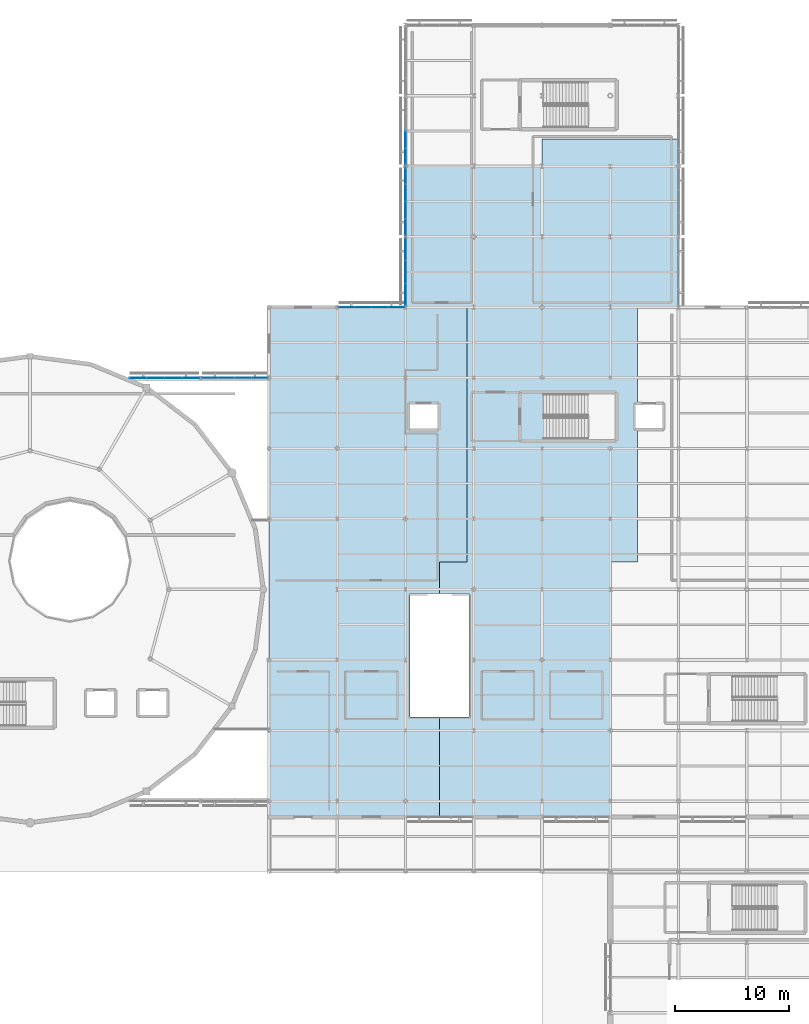
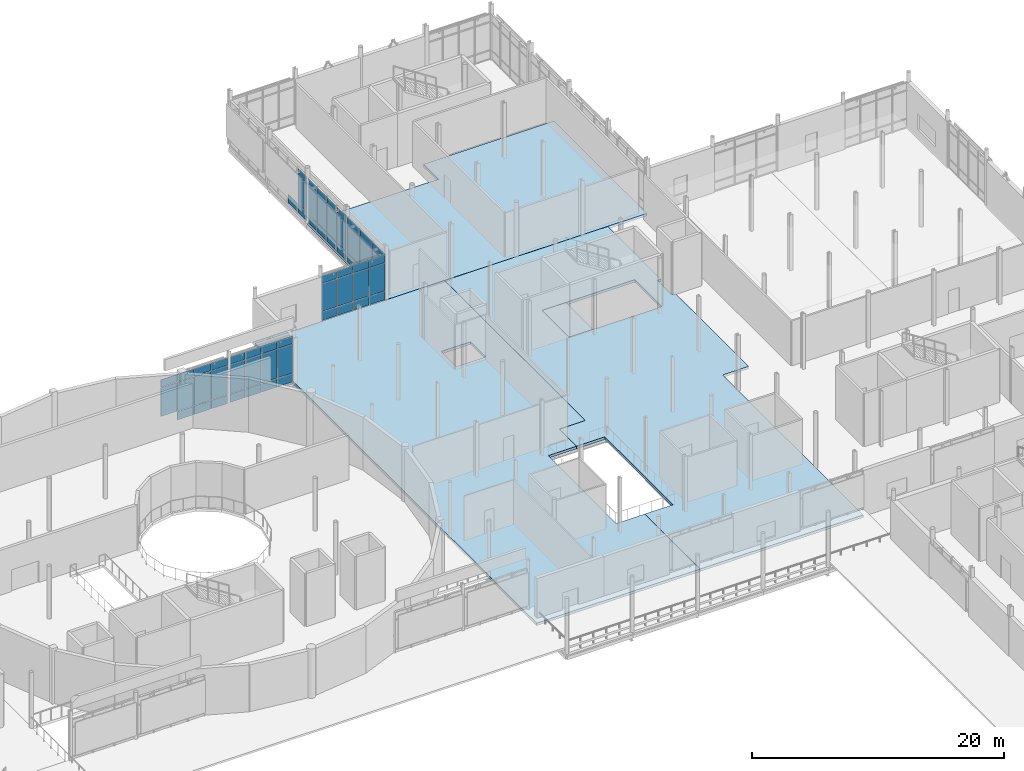
# One storey, part 61 of 105: 60 plates, 4 slabs, 6 elements without a shape of their own.
"""IFC4 building model written with IfcOpenShell, lengths in metres."""

from ifc_helpers import new_model, si_unit, direction, frame, origin, origin_2d, place, context, subcontext, project, spatial, polyline, rectangle, outline, extrude, material, layer, layer_set, type_object, element, aggregate, save


model = new_model("IFC4")

# Units and contexts
model_context = context("Model", 3, precision=1e-05, world=origin(), true_north=direction((0.0, 1.0)))
body_context = subcontext(model_context, "Body", "Model", "MODEL_VIEW")
ifc_project = project(units=[si_unit("LENGTHUNIT", "METRE"), si_unit("AREAUNIT", "SQUARE_METRE"), si_unit("VOLUMEUNIT", "CUBIC_METRE"), si_unit("PLANEANGLEUNIT", "RADIAN"), si_unit("MASSUNIT", "GRAM", prefix="KILO")], contexts=[model_context])

# Site, building, storey
site_placement = place(None, origin())
site = spatial("IfcSite", under=ifc_project, at=site_placement, CompositionType="ELEMENT")
building_placement = place(site_placement, origin())
building = spatial("IfcBuilding", under=site, at=building_placement, Name="Mirzam Square Science Centre", CompositionType="ELEMENT")
storey_placement = place(building_placement, frame((0.0, 0.0, 5.39990234375)))
storey = spatial("IfcBuildingStorey", under=building, at=storey_placement, Name="L01", CompositionType="ELEMENT", Elevation=5.39990234375)

# Curtain wall, plates
ifc_material_1 = material(Name="Anodised Aluminium and Low-E Solar Glass", Category="aluminium")
ifc_layer_1 = layer(ifc_material_1, 0.159912109375)
ifc_layer_set_1 = layer_set([ifc_layer_1], Name="CW-COURT-B")
curtain_wall_type_1 = type_object("IfcCurtainWallType", Name="CW-COURT-B", PredefinedType="USERDEFINED", material=ifc_layer_set_1)
curtain_wall_1_placement = place(storey_placement, origin())
curtain_wall_1 = element("IfcCurtainWall", 1, at=curtain_wall_1_placement, inside=storey, type_object=curtain_wall_type_1, Name="L01 unitised curtain wall 89", ObjectType="UNITISED CURTAIN WALL", PredefinedType="USERDEFINED")
ifc_material_2 = material(Name="Ceramic-Fritted Courtyard Solar Glass", Category="glass")
ifc_layer_2 = layer(ifc_material_2, 0.02392578125)
ifc_layer_set_2 = layer_set([ifc_layer_2], Name="CWP-GLZ-24")
plate_type_1 = type_object("IfcPlateType", Name="CWP-GLZ-24", PredefinedType="CURTAIN_PANEL", material=ifc_layer_set_2)
plate_1_placement = place(storey_placement, frame((113.19384765625, 86.800048828125, 0.06005859375), z_axis=(0.0, 0.0, 1.0), x_axis=(-1.0, 0.0, 0.0)))
plate_1 = element("IfcPlate", 2, at=plate_1_placement, type_object=plate_type_1, Name="CW-04 panel 1.1", PredefinedType="CURTAIN_PANEL", context=body_context, shape_type="SweptSolid", body=[
    extrude(rectangle(XDim=1.382568359375, YDim=0.02392578125, at=origin_2d()), origin(), (0.0, 0.0, 1.0), 0.81005859375),
])
plate_2_placement = place(storey_placement, frame((113.19384765625, 86.800048828125, 0.93017578125), z_axis=(0.0, 0.0, 1.0), x_axis=(-1.0, 0.0, 0.0)))
plate_2 = element("IfcPlate", 3, at=plate_2_placement, type_object=plate_type_1, Name="CW-04 panel 1.2", PredefinedType="CURTAIN_PANEL", context=body_context, shape_type="SweptSolid", body=[
    extrude(rectangle(XDim=1.382568359375, YDim=0.02392578125, at=origin_2d()), origin(), (0.0, 0.0, 1.0), 2.679931640625),
])
plate_3_placement = place(storey_placement, frame((113.19384765625, 86.800048828125, 3.670166015625), z_axis=(0.0, 0.0, 1.0), x_axis=(-1.0, 0.0, 0.0)))
plate_3 = element("IfcPlate", 4, at=plate_3_placement, type_object=plate_type_1, Name="CW-04 panel 1.3", PredefinedType="CURTAIN_PANEL", context=body_context, shape_type="SweptSolid", body=[
    extrude(rectangle(XDim=1.382568359375, YDim=0.02392578125, at=origin_2d()), origin(), (0.0, 0.0, 1.0), 0.7099609375),
])
plate_4_placement = place(storey_placement, frame((111.736328125, 86.800048828125, 0.06005859375), z_axis=(0.0, 0.0, 1.0), x_axis=(-1.0, 0.0, 0.0)))
plate_4 = element("IfcPlate", 5, at=plate_4_placement, type_object=plate_type_1, Name="CW-04 panel 2.1", PredefinedType="CURTAIN_PANEL", context=body_context, shape_type="SweptSolid", body=[
    extrude(rectangle(XDim=1.41259765625, YDim=0.02392578125, at=origin_2d()), origin(), (0.0, 0.0, 1.0), 0.81005859375),
])
plate_5_placement = place(storey_placement, frame((111.736328125, 86.800048828125, 0.93017578125), z_axis=(0.0, 0.0, 1.0), x_axis=(-1.0, 0.0, 0.0)))
plate_5 = element("IfcPlate", 6, at=plate_5_placement, type_object=plate_type_1, Name="CW-04 panel 2.2", PredefinedType="CURTAIN_PANEL", context=body_context, shape_type="SweptSolid", body=[
    extrude(rectangle(XDim=1.41259765625, YDim=0.02392578125, at=origin_2d()), origin(), (0.0, 0.0, 1.0), 2.679931640625),
])
plate_6_placement = place(storey_placement, frame((111.736328125, 86.800048828125, 3.670166015625), z_axis=(0.0, 0.0, 1.0), x_axis=(-1.0, 0.0, 0.0)))
plate_6 = element("IfcPlate", 7, at=plate_6_placement, type_object=plate_type_1, Name="CW-04 panel 2.3", PredefinedType="CURTAIN_PANEL", context=body_context, shape_type="SweptSolid", body=[
    extrude(rectangle(XDim=1.41259765625, YDim=0.02392578125, at=origin_2d()), origin(), (0.0, 0.0, 1.0), 0.7099609375),
])
plate_7_placement = place(storey_placement, frame((110.263671875, 86.800048828125, 0.06005859375), z_axis=(0.0, 0.0, 1.0), x_axis=(-1.0, 0.0, 0.0)))
plate_7 = element("IfcPlate", 8, at=plate_7_placement, type_object=plate_type_1, Name="CW-04 panel 3.1", PredefinedType="CURTAIN_PANEL", context=body_context, shape_type="SweptSolid", body=[
    extrude(rectangle(XDim=1.41259765625, YDim=0.02392578125, at=origin_2d()), origin(), (0.0, 0.0, 1.0), 0.81005859375),
])
plate_8_placement = place(storey_placement, frame((110.263671875, 86.800048828125, 0.93017578125), z_axis=(0.0, 0.0, 1.0), x_axis=(-1.0, 0.0, 0.0)))
plate_8 = element("IfcPlate", 9, at=plate_8_placement, type_object=plate_type_1, Name="CW-04 panel 3.2", PredefinedType="CURTAIN_PANEL", context=body_context, shape_type="SweptSolid", body=[
    extrude(rectangle(XDim=1.41259765625, YDim=0.02392578125, at=origin_2d()), origin(), (0.0, 0.0, 1.0), 2.679931640625),
])
plate_9_placement = place(storey_placement, frame((110.263671875, 86.800048828125, 3.670166015625), z_axis=(0.0, 0.0, 1.0), x_axis=(-1.0, 0.0, 0.0)))
plate_9 = element("IfcPlate", 10, at=plate_9_placement, type_object=plate_type_1, Name="CW-04 panel 3.3", PredefinedType="CURTAIN_PANEL", context=body_context, shape_type="SweptSolid", body=[
    extrude(rectangle(XDim=1.41259765625, YDim=0.02392578125, at=origin_2d()), origin(), (0.0, 0.0, 1.0), 0.7099609375),
])
plate_10_placement = place(storey_placement, frame((108.80615234375, 86.800048828125, 0.06005859375), z_axis=(0.0, 0.0, 1.0), x_axis=(-1.0, 0.0, 0.0)))
plate_10 = element("IfcPlate", 11, at=plate_10_placement, type_object=plate_type_1, Name="CW-04 panel 4.1", PredefinedType="CURTAIN_PANEL", context=body_context, shape_type="SweptSolid", body=[
    extrude(rectangle(XDim=1.382568359375, YDim=0.02392578125, at=origin_2d()), origin(), (0.0, 0.0, 1.0), 0.81005859375),
])
plate_11_placement = place(storey_placement, frame((108.80615234375, 86.800048828125, 0.93017578125), z_axis=(0.0, 0.0, 1.0), x_axis=(-1.0, 0.0, 0.0)))
plate_11 = element("IfcPlate", 12, at=plate_11_placement, type_object=plate_type_1, Name="CW-04 panel 4.2", PredefinedType="CURTAIN_PANEL", context=body_context, shape_type="SweptSolid", body=[
    extrude(rectangle(XDim=1.382568359375, YDim=0.02392578125, at=origin_2d()), origin(), (0.0, 0.0, 1.0), 2.679931640625),
])
plate_12_placement = place(storey_placement, frame((108.80615234375, 86.800048828125, 3.670166015625), z_axis=(0.0, 0.0, 1.0), x_axis=(-1.0, 0.0, 0.0)))
plate_12 = element("IfcPlate", 13, at=plate_12_placement, type_object=plate_type_1, Name="CW-04 panel 4.3", PredefinedType="CURTAIN_PANEL", context=body_context, shape_type="SweptSolid", body=[
    extrude(rectangle(XDim=1.382568359375, YDim=0.02392578125, at=origin_2d()), origin(), (0.0, 0.0, 1.0), 0.7099609375),
])
aggregate(curtain_wall_1, [plate_1, plate_2, plate_3, plate_4, plate_5, plate_6, plate_7, plate_8, plate_9, plate_10, plate_11, plate_12])

curtain_wall_2_placement = place(storey_placement, origin())
curtain_wall_2 = element("IfcCurtainWall", 14, at=curtain_wall_2_placement, inside=storey, type_object=curtain_wall_type_1, Name="L01 unitised curtain wall 96", ObjectType="UNITISED CURTAIN WALL", PredefinedType="USERDEFINED")
plate_13_placement = place(storey_placement, frame((114.0, 101.538818359375, 0.06005859375), z_axis=(0.0, 0.0, 1.0), x_axis=(0.0, -1.0, 0.0)))
plate_13 = element("IfcPlate", 15, at=plate_13_placement, type_object=plate_type_1, Name="CW-04 panel 3.1", PredefinedType="CURTAIN_PANEL", context=body_context, shape_type="SweptSolid", body=[
    extrude(rectangle(XDim=1.46240234375, YDim=0.02392578125, at=origin_2d()), origin(), (0.0, 0.0, 1.0), 0.81005859375),
])
plate_14_placement = place(storey_placement, frame((114.0, 100.03125, 0.06005859375), z_axis=(0.0, 0.0, 1.0), x_axis=(0.0, -1.0, 0.0)))
plate_14 = element("IfcPlate", 16, at=plate_14_placement, type_object=plate_type_1, Name="CW-04 panel 4.1", PredefinedType="CURTAIN_PANEL", context=body_context, shape_type="SweptSolid", body=[
    extrude(rectangle(XDim=1.4326171875, YDim=0.02392578125, at=origin_2d()), origin(), (0.0, 0.0, 1.0), 0.81005859375),
])
plate_15_placement = place(storey_placement, frame((114.0, 100.03125, 0.93017578125), z_axis=(0.0, 0.0, 1.0), x_axis=(0.0, -1.0, 0.0)))
plate_15 = element("IfcPlate", 17, at=plate_15_placement, type_object=plate_type_1, Name="CW-04 panel 4.2", PredefinedType="CURTAIN_PANEL", context=body_context, shape_type="SweptSolid", body=[
    extrude(rectangle(XDim=1.4326171875, YDim=0.02392578125, at=origin_2d()), origin(), (0.0, 0.0, 1.0), 2.679931640625),
])
plate_16_placement = place(storey_placement, frame((114.0, 100.03125, 3.670166015625), z_axis=(0.0, 0.0, 1.0), x_axis=(0.0, -1.0, 0.0)))
plate_16 = element("IfcPlate", 18, at=plate_16_placement, type_object=plate_type_1, Name="CW-04 panel 4.3", PredefinedType="CURTAIN_PANEL", context=body_context, shape_type="SweptSolid", body=[
    extrude(rectangle(XDim=1.4326171875, YDim=0.02392578125, at=origin_2d()), origin(), (0.0, 0.0, 1.0), 0.7099609375),
])
aggregate(curtain_wall_2, [plate_13, plate_14, plate_15, plate_16])

ifc_layer_3 = layer(ifc_material_1, 0.179931640625)
ifc_layer_set_3 = layer_set([ifc_layer_3], Name="CW-PARK-A")
curtain_wall_type_2 = type_object("IfcCurtainWallType", Name="CW-PARK-A", PredefinedType="USERDEFINED", material=ifc_layer_set_3)
curtain_wall_3_placement = place(storey_placement, origin())
curtain_wall_3 = element("IfcCurtainWall", 19, at=curtain_wall_3_placement, inside=storey, type_object=curtain_wall_type_2, Name="L01 unitised curtain wall 56", ObjectType="UNITISED CURTAIN WALL", PredefinedType="USERDEFINED")
ifc_material_3 = material(Name="Triple-Glazed Acoustic Low-E Solar Glass", Category="glass")
ifc_layer_4 = layer(ifc_material_3, 0.031982421875)
ifc_layer_set_4 = layer_set([ifc_layer_4], Name="CWP-GLZ-32")
plate_type_2 = type_object("IfcPlateType", Name="CWP-GLZ-32", PredefinedType="CURTAIN_PANEL", material=ifc_layer_set_4)
plate_17_placement = place(storey_placement, frame((101.1923828125, 80.60009765625, 0.06494140625), z_axis=(0.0, 0.0, 1.0), x_axis=(-1.0, 0.0, 0.0)))
plate_17 = element("IfcPlate", 20, at=plate_17_placement, type_object=plate_type_2, Name="CW-01 panel 1.1", PredefinedType="CURTAIN_PANEL", context=body_context, shape_type="SweptSolid", body=[
    extrude(rectangle(XDim=1.375, YDim=0.031982421875, at=origin_2d()), origin(), (0.0, 0.0, 1.0), 0.802490234375),
])
plate_18_placement = place(storey_placement, frame((101.1923828125, 80.60009765625, 0.9326171875), z_axis=(0.0, 0.0, 1.0), x_axis=(-1.0, 0.0, 0.0)))
plate_18 = element("IfcPlate", 21, at=plate_18_placement, type_object=plate_type_2, Name="CW-01 panel 1.2", PredefinedType="CURTAIN_PANEL", context=body_context, shape_type="SweptSolid", body=[
    extrude(rectangle(XDim=1.375, YDim=0.031982421875, at=origin_2d()), origin(), (0.0, 0.0, 1.0), 2.784912109375),
])
plate_19_placement = place(storey_placement, frame((101.1923828125, 80.60009765625, 3.78271484375), z_axis=(0.0, 0.0, 1.0), x_axis=(-1.0, 0.0, 0.0)))
plate_19 = element("IfcPlate", 22, at=plate_19_placement, type_object=plate_type_2, Name="CW-01 panel 1.3", PredefinedType="CURTAIN_PANEL", context=body_context, shape_type="SweptSolid", body=[
    extrude(rectangle(XDim=1.375, YDim=0.031982421875, at=origin_2d()), origin(), (0.0, 0.0, 1.0), 0.702392578125),
])
plate_20_placement = place(storey_placement, frame((99.736328125, 80.60009765625, 0.06494140625), z_axis=(0.0, 0.0, 1.0), x_axis=(-1.0, 0.0, 0.0)))
plate_20 = element("IfcPlate", 23, at=plate_20_placement, type_object=plate_type_2, Name="CW-01 panel 2.1", PredefinedType="CURTAIN_PANEL", context=body_context, shape_type="SweptSolid", body=[
    extrude(rectangle(XDim=1.407470703125, YDim=0.031982421875, at=origin_2d()), origin(), (0.0, 0.0, 1.0), 0.802490234375),
])
plate_21_placement = place(storey_placement, frame((99.736328125, 80.60009765625, 0.9326171875), z_axis=(0.0, 0.0, 1.0), x_axis=(-1.0, 0.0, 0.0)))
plate_21 = element("IfcPlate", 24, at=plate_21_placement, type_object=plate_type_2, Name="CW-01 panel 2.2", PredefinedType="CURTAIN_PANEL", context=body_context, shape_type="SweptSolid", body=[
    extrude(rectangle(XDim=1.407470703125, YDim=0.031982421875, at=origin_2d()), origin(), (0.0, 0.0, 1.0), 2.784912109375),
])
plate_22_placement = place(storey_placement, frame((99.736328125, 80.60009765625, 3.78271484375), z_axis=(0.0, 0.0, 1.0), x_axis=(-1.0, 0.0, 0.0)))
plate_22 = element("IfcPlate", 25, at=plate_22_placement, type_object=plate_type_2, Name="CW-01 panel 2.3", PredefinedType="CURTAIN_PANEL", context=body_context, shape_type="SweptSolid", body=[
    extrude(rectangle(XDim=1.407470703125, YDim=0.031982421875, at=origin_2d()), origin(), (0.0, 0.0, 1.0), 0.702392578125),
])
plate_23_placement = place(storey_placement, frame((98.263671875, 80.60009765625, 0.06494140625), z_axis=(0.0, 0.0, 1.0), x_axis=(-1.0, 0.0, 0.0)))
plate_23 = element("IfcPlate", 26, at=plate_23_placement, type_object=plate_type_2, Name="CW-01 panel 3.1", PredefinedType="CURTAIN_PANEL", context=body_context, shape_type="SweptSolid", body=[
    extrude(rectangle(XDim=1.407470703125, YDim=0.031982421875, at=origin_2d()), origin(), (0.0, 0.0, 1.0), 0.802490234375),
])
plate_24_placement = place(storey_placement, frame((98.263671875, 80.60009765625, 0.9326171875), z_axis=(0.0, 0.0, 1.0), x_axis=(-1.0, 0.0, 0.0)))
plate_24 = element("IfcPlate", 27, at=plate_24_placement, type_object=plate_type_2, Name="CW-01 panel 3.2", PredefinedType="CURTAIN_PANEL", context=body_context, shape_type="SweptSolid", body=[
    extrude(rectangle(XDim=1.407470703125, YDim=0.031982421875, at=origin_2d()), origin(), (0.0, 0.0, 1.0), 2.784912109375),
])
plate_25_placement = place(storey_placement, frame((98.263671875, 80.60009765625, 3.78271484375), z_axis=(0.0, 0.0, 1.0), x_axis=(-1.0, 0.0, 0.0)))
plate_25 = element("IfcPlate", 28, at=plate_25_placement, type_object=plate_type_2, Name="CW-01 panel 3.3", PredefinedType="CURTAIN_PANEL", context=body_context, shape_type="SweptSolid", body=[
    extrude(rectangle(XDim=1.407470703125, YDim=0.031982421875, at=origin_2d()), origin(), (0.0, 0.0, 1.0), 0.702392578125),
])
plate_26_placement = place(storey_placement, frame((96.8076171875, 80.60009765625, 0.06494140625), z_axis=(0.0, 0.0, 1.0), x_axis=(-1.0, 0.0, 0.0)))
plate_26 = element("IfcPlate", 29, at=plate_26_placement, type_object=plate_type_2, Name="CW-01 panel 4.1", PredefinedType="CURTAIN_PANEL", context=body_context, shape_type="SweptSolid", body=[
    extrude(rectangle(XDim=1.375, YDim=0.031982421875, at=origin_2d()), origin(), (0.0, 0.0, 1.0), 0.802490234375),
])
plate_27_placement = place(storey_placement, frame((96.8076171875, 80.60009765625, 0.9326171875), z_axis=(0.0, 0.0, 1.0), x_axis=(-1.0, 0.0, 0.0)))
plate_27 = element("IfcPlate", 30, at=plate_27_placement, type_object=plate_type_2, Name="CW-01 panel 4.2", PredefinedType="CURTAIN_PANEL", context=body_context, shape_type="SweptSolid", body=[
    extrude(rectangle(XDim=1.375, YDim=0.031982421875, at=origin_2d()), origin(), (0.0, 0.0, 1.0), 2.784912109375),
])
plate_28_placement = place(storey_placement, frame((96.8076171875, 80.60009765625, 3.78271484375), z_axis=(0.0, 0.0, 1.0), x_axis=(-1.0, 0.0, 0.0)))
plate_28 = element("IfcPlate", 31, at=plate_28_placement, type_object=plate_type_2, Name="CW-01 panel 4.3", PredefinedType="CURTAIN_PANEL", context=body_context, shape_type="SweptSolid", body=[
    extrude(rectangle(XDim=1.375, YDim=0.031982421875, at=origin_2d()), origin(), (0.0, 0.0, 1.0), 0.702392578125),
])
aggregate(curtain_wall_3, [plate_17, plate_18, plate_19, plate_20, plate_21, plate_22, plate_23, plate_24, plate_25, plate_26, plate_27, plate_28])

ifc_layer_5 = layer(ifc_material_1, 0.199951171875)
ifc_layer_set_5 = layer_set([ifc_layer_5], Name="CW-PARK-B")
curtain_wall_type_3 = type_object("IfcCurtainWallType", Name="CW-PARK-B", PredefinedType="USERDEFINED", material=ifc_layer_set_5)
curtain_wall_4_placement = place(storey_placement, origin())
curtain_wall_4 = element("IfcCurtainWall", 32, at=curtain_wall_4_placement, inside=storey, type_object=curtain_wall_type_3, Name="L01 unitised curtain wall 92", ObjectType="UNITISED CURTAIN WALL", PredefinedType="USERDEFINED")
plate_29_placement = place(storey_placement, frame((114.0, 91.913818359375, 0.06494140625), z_axis=(0.0, 0.0, 1.0), x_axis=(0.0, -1.0, 0.0)))
plate_29 = element("IfcPlate", 33, at=plate_29_placement, type_object=plate_type_2, Name="CW-02 panel 1.1", PredefinedType="CURTAIN_PANEL", context=body_context, shape_type="SweptSolid", body=[
    extrude(rectangle(XDim=1.9326171875, YDim=0.031982421875, at=origin_2d()), origin(), (0.0, 0.0, 1.0), 0.802490234375),
])
plate_30_placement = place(storey_placement, frame((114.0, 91.913818359375, 0.9326171875), z_axis=(0.0, 0.0, 1.0), x_axis=(0.0, -1.0, 0.0)))
plate_30 = element("IfcPlate", 34, at=plate_30_placement, type_object=plate_type_2, Name="CW-02 panel 1.2", PredefinedType="CURTAIN_PANEL", context=body_context, shape_type="SweptSolid", body=[
    extrude(rectangle(XDim=1.9326171875, YDim=0.031982421875, at=origin_2d()), origin(), (0.0, 0.0, 1.0), 2.675048828125),
])
plate_31_placement = place(storey_placement, frame((114.0, 91.913818359375, 3.6728515625), z_axis=(0.0, 0.0, 1.0), x_axis=(0.0, -1.0, 0.0)))
plate_31 = element("IfcPlate", 35, at=plate_31_placement, type_object=plate_type_2, Name="CW-02 panel 1.3", PredefinedType="CURTAIN_PANEL", context=body_context, shape_type="SweptSolid", body=[
    extrude(rectangle(XDim=1.9326171875, YDim=0.031982421875, at=origin_2d()), origin(), (0.0, 0.0, 1.0), 0.702392578125),
])
plate_32_placement = place(storey_placement, frame((114.0, 89.89990234375, 0.06494140625), z_axis=(0.0, 0.0, 1.0), x_axis=(0.0, -1.0, 0.0)))
plate_32 = element("IfcPlate", 36, at=plate_32_placement, type_object=plate_type_2, Name="CW-02 panel 2.1", PredefinedType="CURTAIN_PANEL", context=body_context, shape_type="SweptSolid", body=[
    extrude(rectangle(XDim=1.965087890625, YDim=0.031982421875, at=origin_2d()), origin(), (0.0, 0.0, 1.0), 0.802490234375),
])
plate_33_placement = place(storey_placement, frame((114.0, 89.89990234375, 0.9326171875), z_axis=(0.0, 0.0, 1.0), x_axis=(0.0, -1.0, 0.0)))
plate_33 = element("IfcPlate", 37, at=plate_33_placement, type_object=plate_type_2, Name="CW-02 panel 2.2", PredefinedType="CURTAIN_PANEL", context=body_context, shape_type="SweptSolid", body=[
    extrude(rectangle(XDim=1.965087890625, YDim=0.031982421875, at=origin_2d()), origin(), (0.0, 0.0, 1.0), 2.675048828125),
])
plate_34_placement = place(storey_placement, frame((114.0, 89.89990234375, 3.6728515625), z_axis=(0.0, 0.0, 1.0), x_axis=(0.0, -1.0, 0.0)))
plate_34 = element("IfcPlate", 38, at=plate_34_placement, type_object=plate_type_2, Name="CW-02 panel 2.3", PredefinedType="CURTAIN_PANEL", context=body_context, shape_type="SweptSolid", body=[
    extrude(rectangle(XDim=1.965087890625, YDim=0.031982421875, at=origin_2d()), origin(), (0.0, 0.0, 1.0), 0.702392578125),
])
plate_35_placement = place(storey_placement, frame((114.0, 87.88623046875, 0.06494140625), z_axis=(0.0, 0.0, 1.0), x_axis=(0.0, -1.0, 0.0)))
plate_35 = element("IfcPlate", 39, at=plate_35_placement, type_object=plate_type_2, Name="CW-02 panel 3.1", PredefinedType="CURTAIN_PANEL", context=body_context, shape_type="SweptSolid", body=[
    extrude(rectangle(XDim=1.9326171875, YDim=0.031982421875, at=origin_2d()), origin(), (0.0, 0.0, 1.0), 0.802490234375),
])
plate_36_placement = place(storey_placement, frame((114.0, 87.88623046875, 0.9326171875), z_axis=(0.0, 0.0, 1.0), x_axis=(0.0, -1.0, 0.0)))
plate_36 = element("IfcPlate", 40, at=plate_36_placement, type_object=plate_type_2, Name="CW-02 panel 3.2", PredefinedType="CURTAIN_PANEL", context=body_context, shape_type="SweptSolid", body=[
    extrude(rectangle(XDim=1.9326171875, YDim=0.031982421875, at=origin_2d()), origin(), (0.0, 0.0, 1.0), 2.675048828125),
])
plate_37_placement = place(storey_placement, frame((114.0, 87.88623046875, 3.6728515625), z_axis=(0.0, 0.0, 1.0), x_axis=(0.0, -1.0, 0.0)))
plate_37 = element("IfcPlate", 41, at=plate_37_placement, type_object=plate_type_2, Name="CW-02 panel 3.3", PredefinedType="CURTAIN_PANEL", context=body_context, shape_type="SweptSolid", body=[
    extrude(rectangle(XDim=1.9326171875, YDim=0.031982421875, at=origin_2d()), origin(), (0.0, 0.0, 1.0), 0.702392578125),
])
aggregate(curtain_wall_4, [plate_29, plate_30, plate_31, plate_32, plate_33, plate_34, plate_35, plate_36, plate_37])

ifc_layer_6 = layer(ifc_material_1, 0.199951171875)
ifc_layer_set_6 = layer_set([ifc_layer_6], Name="CW-EAST-A")
curtain_wall_type_4 = type_object("IfcCurtainWallType", Name="CW-EAST-A", PredefinedType="USERDEFINED", material=ifc_layer_set_6)
curtain_wall_5_placement = place(storey_placement, origin())
curtain_wall_5 = element("IfcCurtainWall", 42, at=curtain_wall_5_placement, inside=storey, type_object=curtain_wall_type_4, Name="L01 unitised curtain wall 54", ObjectType="UNITISED CURTAIN WALL", PredefinedType="USERDEFINED")
ifc_material_4 = material(Name="Laminated Low-Iron Observatory Solar Glass", Category="glass")
ifc_layer_7 = layer(ifc_material_4, 0.035888671875)
ifc_layer_set_7 = layer_set([ifc_layer_7], Name="CWP-GLZ-36")
plate_type_3 = type_object("IfcPlateType", Name="CWP-GLZ-36", PredefinedType="CURTAIN_PANEL", material=ifc_layer_set_7)
plate_38_placement = place(storey_placement, frame((95.14990234375, 80.60009765625, 0.06005859375), z_axis=(0.0, 0.0, 1.0), x_axis=(-1.0, 0.0, 0.0)))
plate_38 = element("IfcPlate", 43, at=plate_38_placement, type_object=plate_type_3, Name="CW-05 panel 1.1", PredefinedType="CURTAIN_PANEL", context=body_context, shape_type="SweptSolid", body=[
    extrude(rectangle(XDim=1.469970703125, YDim=0.035888671875, at=origin_2d()), origin(), (0.0, 0.0, 1.0), 0.81005859375),
])
plate_39_placement = place(storey_placement, frame((95.14990234375, 80.60009765625, 0.93017578125), z_axis=(0.0, 0.0, 1.0), x_axis=(-1.0, 0.0, 0.0)))
plate_39 = element("IfcPlate", 44, at=plate_39_placement, type_object=plate_type_3, Name="CW-05 panel 1.2", PredefinedType="CURTAIN_PANEL", context=body_context, shape_type="SweptSolid", body=[
    extrude(rectangle(XDim=1.469970703125, YDim=0.035888671875, at=origin_2d()), origin(), (0.0, 0.0, 1.0), 2.7900390625),
])
plate_40_placement = place(storey_placement, frame((95.14990234375, 80.60009765625, 3.780029296875), z_axis=(0.0, 0.0, 1.0), x_axis=(-1.0, 0.0, 0.0)))
plate_40 = element("IfcPlate", 45, at=plate_40_placement, type_object=plate_type_3, Name="CW-05 panel 1.3", PredefinedType="CURTAIN_PANEL", context=body_context, shape_type="SweptSolid", body=[
    extrude(rectangle(XDim=1.469970703125, YDim=0.035888671875, at=origin_2d()), origin(), (0.0, 0.0, 1.0), 0.7099609375),
])
plate_41_placement = place(storey_placement, frame((93.60498046875, 80.60009765625, 0.06005859375), z_axis=(0.0, 0.0, 1.0), x_axis=(-1.0, 0.0, 0.0)))
plate_41 = element("IfcPlate", 46, at=plate_41_placement, type_object=plate_type_3, Name="CW-05 panel 2.1", PredefinedType="CURTAIN_PANEL", context=body_context, shape_type="SweptSolid", body=[
    extrude(rectangle(XDim=1.5, YDim=0.035888671875, at=origin_2d()), origin(), (0.0, 0.0, 1.0), 0.81005859375),
])
plate_42_placement = place(storey_placement, frame((93.60498046875, 80.60009765625, 0.93017578125), z_axis=(0.0, 0.0, 1.0), x_axis=(-1.0, 0.0, 0.0)))
plate_42 = element("IfcPlate", 47, at=plate_42_placement, type_object=plate_type_3, Name="CW-05 panel 2.2", PredefinedType="CURTAIN_PANEL", context=body_context, shape_type="SweptSolid", body=[
    extrude(rectangle(XDim=1.5, YDim=0.035888671875, at=origin_2d()), origin(), (0.0, 0.0, 1.0), 2.7900390625),
])
plate_43_placement = place(storey_placement, frame((93.60498046875, 80.60009765625, 3.780029296875), z_axis=(0.0, 0.0, 1.0), x_axis=(-1.0, 0.0, 0.0)))
plate_43 = element("IfcPlate", 48, at=plate_43_placement, type_object=plate_type_3, Name="CW-05 panel 2.3", PredefinedType="CURTAIN_PANEL", context=body_context, shape_type="SweptSolid", body=[
    extrude(rectangle(XDim=1.5, YDim=0.035888671875, at=origin_2d()), origin(), (0.0, 0.0, 1.0), 0.7099609375),
])
plate_44_placement = place(storey_placement, frame((92.044921875, 80.60009765625, 0.06005859375), z_axis=(0.0, 0.0, 1.0), x_axis=(-1.0, 0.0, 0.0)))
plate_44 = element("IfcPlate", 49, at=plate_44_placement, type_object=plate_type_3, Name="CW-05 panel 3.1", PredefinedType="CURTAIN_PANEL", context=body_context, shape_type="SweptSolid", body=[
    extrude(rectangle(XDim=1.5, YDim=0.035888671875, at=origin_2d()), origin(), (0.0, 0.0, 1.0), 0.81005859375),
])
plate_45_placement = place(storey_placement, frame((92.044921875, 80.60009765625, 0.93017578125), z_axis=(0.0, 0.0, 1.0), x_axis=(-1.0, 0.0, 0.0)))
plate_45 = element("IfcPlate", 50, at=plate_45_placement, type_object=plate_type_3, Name="CW-05 panel 3.2", PredefinedType="CURTAIN_PANEL", context=body_context, shape_type="SweptSolid", body=[
    extrude(rectangle(XDim=1.5, YDim=0.035888671875, at=origin_2d()), origin(), (0.0, 0.0, 1.0), 2.7900390625),
])
plate_46_placement = place(storey_placement, frame((92.044921875, 80.60009765625, 3.780029296875), z_axis=(0.0, 0.0, 1.0), x_axis=(-1.0, 0.0, 0.0)))
plate_46 = element("IfcPlate", 51, at=plate_46_placement, type_object=plate_type_3, Name="CW-05 panel 3.3", PredefinedType="CURTAIN_PANEL", context=body_context, shape_type="SweptSolid", body=[
    extrude(rectangle(XDim=1.5, YDim=0.035888671875, at=origin_2d()), origin(), (0.0, 0.0, 1.0), 0.7099609375),
])
plate_47_placement = place(storey_placement, frame((90.5, 80.60009765625, 0.93017578125), z_axis=(0.0, 0.0, 1.0), x_axis=(-1.0, 0.0, 0.0)))
plate_47 = element("IfcPlate", 52, at=plate_47_placement, type_object=plate_type_3, Name="CW-05 panel 4.2", PredefinedType="CURTAIN_PANEL", context=body_context, shape_type="SweptSolid", body=[
    extrude(rectangle(XDim=1.469970703125, YDim=0.035888671875, at=origin_2d()), origin(), (0.0, 0.0, 1.0), 2.7900390625),
])
plate_48_placement = place(storey_placement, frame((90.5, 80.60009765625, 3.780029296875), z_axis=(0.0, 0.0, 1.0), x_axis=(-1.0, 0.0, 0.0)))
plate_48 = element("IfcPlate", 53, at=plate_48_placement, type_object=plate_type_3, Name="CW-05 panel 4.3", PredefinedType="CURTAIN_PANEL", context=body_context, shape_type="SweptSolid", body=[
    extrude(rectangle(XDim=1.469970703125, YDim=0.035888671875, at=origin_2d()), origin(), (0.0, 0.0, 1.0), 0.7099609375),
])
aggregate(curtain_wall_5, [plate_38, plate_39, plate_40, plate_41, plate_42, plate_43, plate_44, plate_45, plate_46, plate_47, plate_48])

ifc_layer_8 = layer(ifc_material_1, 0.159912109375)
ifc_layer_set_8 = layer_set([ifc_layer_8], Name="CW-COURT-A")
curtain_wall_type_5 = type_object("IfcCurtainWallType", Name="CW-COURT-A", PredefinedType="USERDEFINED", material=ifc_layer_set_8)
curtain_wall_6_placement = place(storey_placement, origin())
curtain_wall_6 = element("IfcCurtainWall", 54, at=curtain_wall_6_placement, inside=storey, type_object=curtain_wall_type_5, Name="L01 unitised curtain wall 94", ObjectType="UNITISED CURTAIN WALL", PredefinedType="USERDEFINED")
plate_49_placement = place(storey_placement, frame((114.0, 98.364990234375, 0.074951171875), z_axis=(0.0, 0.0, 1.0), x_axis=(0.0, -1.0, 0.0)))
plate_49 = element("IfcPlate", 55, at=plate_49_placement, type_object=plate_type_3, Name="CW-03 panel 1.1", PredefinedType="CURTAIN_PANEL", context=body_context, shape_type="SweptSolid", body=[
    extrude(rectangle(XDim=1.409912109375, YDim=0.035888671875, at=origin_2d()), origin(), (0.0, 0.0, 1.0), 0.78759765625),
])
plate_50_placement = place(storey_placement, frame((114.0, 98.364990234375, 0.9375), z_axis=(0.0, 0.0, 1.0), x_axis=(0.0, -1.0, 0.0)))
plate_50 = element("IfcPlate", 56, at=plate_50_placement, type_object=plate_type_3, Name="CW-03 panel 1.2", PredefinedType="CURTAIN_PANEL", context=body_context, shape_type="SweptSolid", body=[
    extrude(rectangle(XDim=1.409912109375, YDim=0.035888671875, at=origin_2d()), origin(), (0.0, 0.0, 1.0), 2.6650390625),
])
plate_51_placement = place(storey_placement, frame((114.0, 98.364990234375, 3.677490234375), z_axis=(0.0, 0.0, 1.0), x_axis=(0.0, -1.0, 0.0)))
plate_51 = element("IfcPlate", 57, at=plate_51_placement, type_object=plate_type_3, Name="CW-03 panel 1.3", PredefinedType="CURTAIN_PANEL", context=body_context, shape_type="SweptSolid", body=[
    extrude(rectangle(XDim=1.409912109375, YDim=0.035888671875, at=origin_2d()), origin(), (0.0, 0.0, 1.0), 0.6875),
])
plate_52_placement = place(storey_placement, frame((114.0, 96.861328125, 0.074951171875), z_axis=(0.0, 0.0, 1.0), x_axis=(0.0, -1.0, 0.0)))
plate_52 = element("IfcPlate", 58, at=plate_52_placement, type_object=plate_type_3, Name="CW-03 panel 2.1", PredefinedType="CURTAIN_PANEL", context=body_context, shape_type="SweptSolid", body=[
    extrude(rectangle(XDim=1.447509765625, YDim=0.035888671875, at=origin_2d()), origin(), (0.0, 0.0, 1.0), 0.78759765625),
])
plate_53_placement = place(storey_placement, frame((114.0, 96.861328125, 0.9375), z_axis=(0.0, 0.0, 1.0), x_axis=(0.0, -1.0, 0.0)))
plate_53 = element("IfcPlate", 59, at=plate_53_placement, type_object=plate_type_3, Name="CW-03 panel 2.2", PredefinedType="CURTAIN_PANEL", context=body_context, shape_type="SweptSolid", body=[
    extrude(rectangle(XDim=1.447509765625, YDim=0.035888671875, at=origin_2d()), origin(), (0.0, 0.0, 1.0), 2.6650390625),
])
plate_54_placement = place(storey_placement, frame((114.0, 96.861328125, 3.677490234375), z_axis=(0.0, 0.0, 1.0), x_axis=(0.0, -1.0, 0.0)))
plate_54 = element("IfcPlate", 60, at=plate_54_placement, type_object=plate_type_3, Name="CW-03 panel 2.3", PredefinedType="CURTAIN_PANEL", context=body_context, shape_type="SweptSolid", body=[
    extrude(rectangle(XDim=1.447509765625, YDim=0.035888671875, at=origin_2d()), origin(), (0.0, 0.0, 1.0), 0.6875),
])
plate_55_placement = place(storey_placement, frame((114.0, 95.3388671875, 0.074951171875), z_axis=(0.0, 0.0, 1.0), x_axis=(0.0, -1.0, 0.0)))
plate_55 = element("IfcPlate", 61, at=plate_55_placement, type_object=plate_type_3, Name="CW-03 panel 3.1", PredefinedType="CURTAIN_PANEL", context=body_context, shape_type="SweptSolid", body=[
    extrude(rectangle(XDim=1.447509765625, YDim=0.035888671875, at=origin_2d()), origin(), (0.0, 0.0, 1.0), 0.78759765625),
])
plate_56_placement = place(storey_placement, frame((114.0, 95.3388671875, 0.9375), z_axis=(0.0, 0.0, 1.0), x_axis=(0.0, -1.0, 0.0)))
plate_56 = element("IfcPlate", 62, at=plate_56_placement, type_object=plate_type_3, Name="CW-03 panel 3.2", PredefinedType="CURTAIN_PANEL", context=body_context, shape_type="SweptSolid", body=[
    extrude(rectangle(XDim=1.447509765625, YDim=0.035888671875, at=origin_2d()), origin(), (0.0, 0.0, 1.0), 2.6650390625),
])
plate_57_placement = place(storey_placement, frame((114.0, 95.3388671875, 3.677490234375), z_axis=(0.0, 0.0, 1.0), x_axis=(0.0, -1.0, 0.0)))
plate_57 = element("IfcPlate", 63, at=plate_57_placement, type_object=plate_type_3, Name="CW-03 panel 3.3", PredefinedType="CURTAIN_PANEL", context=body_context, shape_type="SweptSolid", body=[
    extrude(rectangle(XDim=1.447509765625, YDim=0.035888671875, at=origin_2d()), origin(), (0.0, 0.0, 1.0), 0.6875),
])
plate_58_placement = place(storey_placement, frame((114.0, 93.8349609375, 0.074951171875), z_axis=(0.0, 0.0, 1.0), x_axis=(0.0, -1.0, 0.0)))
plate_58 = element("IfcPlate", 64, at=plate_58_placement, type_object=plate_type_3, Name="CW-03 panel 4.1", PredefinedType="CURTAIN_PANEL", context=body_context, shape_type="SweptSolid", body=[
    extrude(rectangle(XDim=1.409912109375, YDim=0.035888671875, at=origin_2d()), origin(), (0.0, 0.0, 1.0), 0.78759765625),
])
plate_59_placement = place(storey_placement, frame((114.0, 93.8349609375, 0.9375), z_axis=(0.0, 0.0, 1.0), x_axis=(0.0, -1.0, 0.0)))
plate_59 = element("IfcPlate", 65, at=plate_59_placement, type_object=plate_type_3, Name="CW-03 panel 4.2", PredefinedType="CURTAIN_PANEL", context=body_context, shape_type="SweptSolid", body=[
    extrude(rectangle(XDim=1.409912109375, YDim=0.035888671875, at=origin_2d()), origin(), (0.0, 0.0, 1.0), 2.6650390625),
])
plate_60_placement = place(storey_placement, frame((114.0, 93.8349609375, 3.677490234375), z_axis=(0.0, 0.0, 1.0), x_axis=(0.0, -1.0, 0.0)))
plate_60 = element("IfcPlate", 66, at=plate_60_placement, type_object=plate_type_3, Name="CW-03 panel 4.3", PredefinedType="CURTAIN_PANEL", context=body_context, shape_type="SweptSolid", body=[
    extrude(rectangle(XDim=1.409912109375, YDim=0.035888671875, at=origin_2d()), origin(), (0.0, 0.0, 1.0), 0.6875),
])
aggregate(curtain_wall_6, [plate_49, plate_50, plate_51, plate_52, plate_53, plate_54, plate_55, plate_56, plate_57, plate_58, plate_59, plate_60])

# Slabs
ifc_material_5 = material(Name="Concrete C40/50", Category="concrete")
ifc_layer_9 = layer(ifc_material_5, 0.25)
ifc_layer_set_9 = layer_set([ifc_layer_9], Name="SL-LAB-250")
slab_type_1 = type_object("IfcSlabType", Name="SL-LAB-250", PredefinedType="FLOOR", material=ifc_layer_set_9)
slab_1_placement = place(storey_placement, frame((0.0, 0.0, -0.25)))
element("IfcSlab", 67, at=slab_1_placement, inside=storey, type_object=slab_type_1, Name="L01 east 1 slab", PredefinedType="FLOOR", context=body_context, shape_type="SweptSolid", body=[
    extrude(outline(polyline([(102.0, 42.0), (102.0, 49.594970703125), (102.0, 86.800048828125), (119.39990234375, 86.800048828125), (119.39990234375, 64.39990234375), (117.0, 64.39990234375), (117.0, 61.64990234375), (114.39990234375, 61.64990234375), (114.39990234375, 50.800048828125), (117.0, 50.800048828125), (117.0, 42.0), (102.0, 42.0)]), holes=[polyline([(116.949951171875, 76.0), (116.949951171875, 78.39990234375), (114.25, 78.39990234375), (114.25, 76.0), (116.949951171875, 76.0)])]), origin(), (0.0, 0.0, 1.0), 0.25),
])
slab_2_placement = place(storey_placement, frame((0.0, 0.0, -0.25)))
element("IfcSlab", 68, at=slab_2_placement, inside=storey, type_object=slab_type_1, Name="L01 east 2 slab", PredefinedType="FLOOR", context=body_context, shape_type="SweptSolid", body=[
    extrude(outline(polyline([(132.0, 64.39990234375), (132.0, 42.0), (117.0048828125, 42.0), (117.0048828125, 50.800048828125), (119.60009765625, 50.800048828125), (119.60009765625, 61.64990234375), (117.0048828125, 61.64990234375), (117.0048828125, 64.39501953125), (119.405029296875, 64.39501953125), (119.405029296875, 86.800048828125), (134.39990234375, 86.800048828125), (134.39990234375, 78.35009765625), (134.10009765625, 78.35009765625), (134.10009765625, 76.050048828125), (134.39990234375, 76.050048828125), (134.39990234375, 64.39990234375), (132.0, 64.39990234375)]), holes=[polyline([(132.56005859375, 79.330078125), (124.0400390625, 79.330078125), (124.0400390625, 75.0400390625), (132.56005859375, 75.0400390625), (132.56005859375, 79.330078125)])]), origin(), (0.0, 0.0, 1.0), 0.25),
])
slab_3_placement = place(storey_placement, frame((0.0, 0.0, -0.25)))
element("IfcSlab", 69, at=slab_3_placement, inside=storey, type_object=slab_type_1, Name="L01 ne obs base 1 slab", PredefinedType="FLOOR", context=body_context, shape_type="SweptSolid", body=[
    extrude(outline(polyline([(126.0, 99.199951171875), (126.0, 101.60009765625), (138.0, 101.60009765625), (138.0, 86.804931640625), (114.0, 86.804931640625), (114.0, 99.199951171875), (126.0, 99.199951171875)])), origin(), (0.0, 0.0, 1.0), 0.25),
])
ifc_layer_10 = layer(ifc_material_5, 0.199951171875)
ifc_layer_set_10 = layer_set([ifc_layer_10], Name="SL-LANDING-200")
slab_type_2 = type_object("IfcSlabType", Name="SL-LANDING-200", PredefinedType="LANDING", material=ifc_layer_set_10)
slab_4_placement = place(storey_placement, frame((0.0, 0.0, -0.199951171875)))
element("IfcSlab", 70, at=slab_4_placement, inside=storey, type_object=slab_type_2, Name="L01 CORE-4 floor landing", PredefinedType="LANDING", context=body_context, shape_type="SweptSolid", body=[
    extrude(outline(polyline([(126.260009765625, 75.044921875), (124.044921875, 75.044921875), (124.044921875, 79.324951171875), (126.260009765625, 79.324951171875), (126.260009765625, 75.044921875)])), origin(), (0.0, 0.0, 1.0), 0.199951171875),
])

save(model, "model.ifc")
